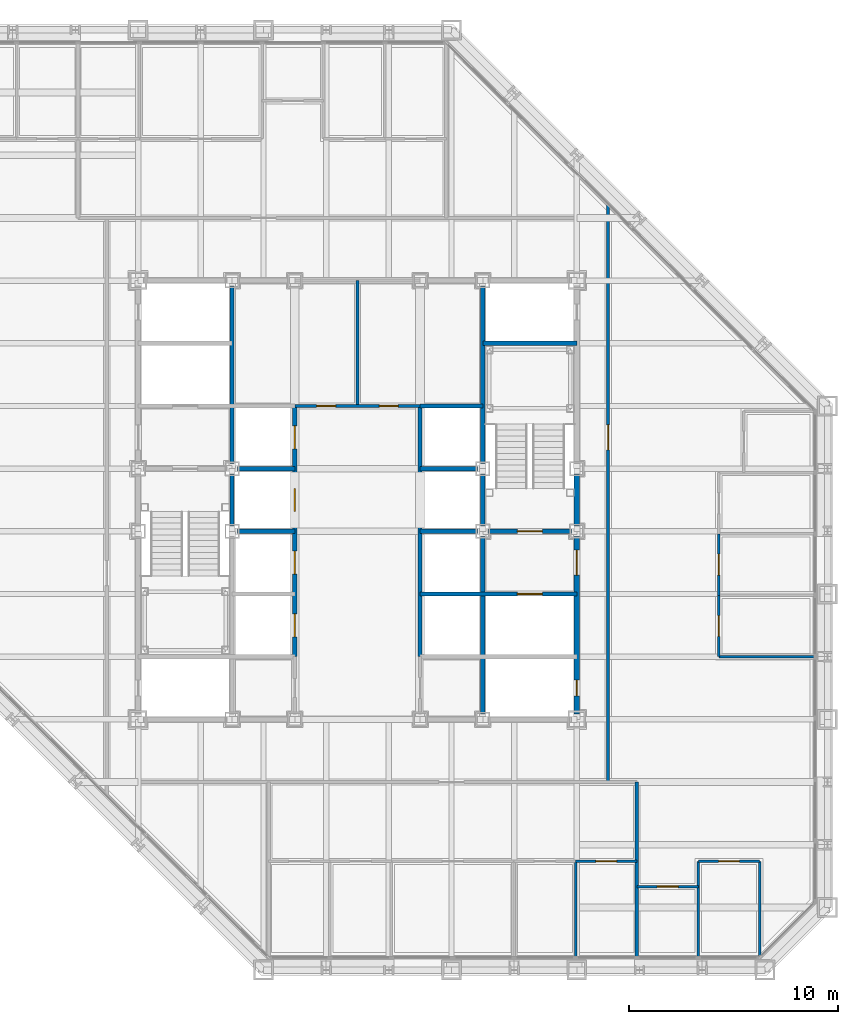
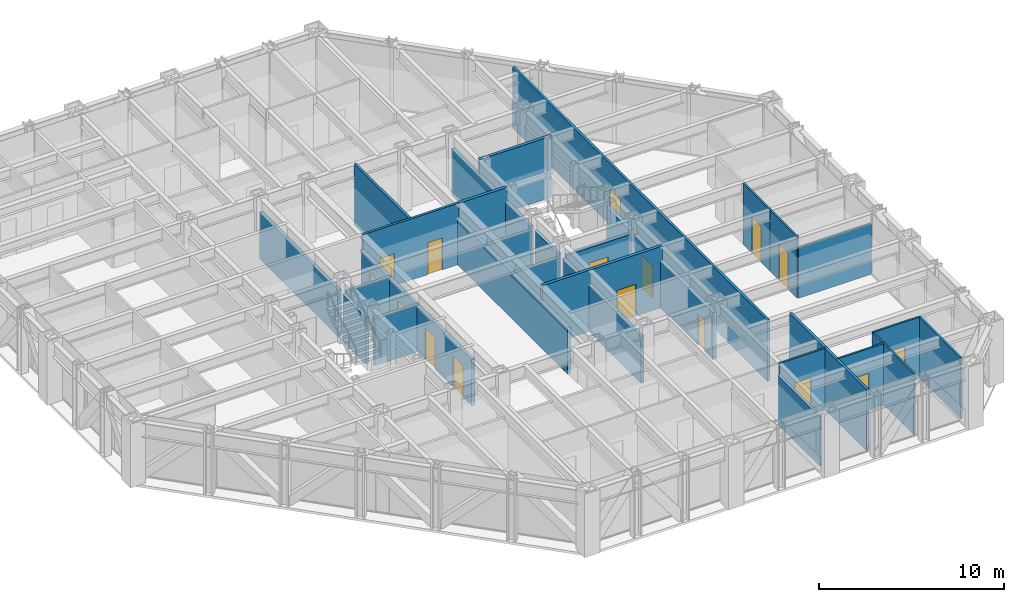
# One storey, part 11 of 16: 30 walls, 16 doors, 16 openings.
"""IFC4 building model written with IfcOpenShell, lengths in metres."""

from ifc_helpers import new_model, si_unit, direction, frame, frame_2d, origin, place, context, subcontext, project, spatial, rectangle, extrude, material, layer, layer_set, type_object, element, fill, save


model = new_model("IFC4")

# Units and contexts
model_context = context("Model", 3, precision=1e-05, world=origin(), true_north=direction((0.0, 1.0)))
body_context = subcontext(model_context, "Body", "Model", "MODEL_VIEW")
ifc_project = project(units=[si_unit("LENGTHUNIT", "METRE"), si_unit("AREAUNIT", "SQUARE_METRE"), si_unit("VOLUMEUNIT", "CUBIC_METRE"), si_unit("PLANEANGLEUNIT", "RADIAN"), si_unit("MASSUNIT", "GRAM", prefix="KILO")], contexts=[model_context])

# Site, building, storey
site_placement = place(None, origin())
site = spatial("IfcSite", under=ifc_project, at=site_placement, CompositionType="ELEMENT")
building_placement = place(site_placement, origin())
building = spatial("IfcBuilding", under=site, at=building_placement, Name="Chuquiago Exchange Tower", CompositionType="ELEMENT")
storey_placement = place(building_placement, frame((0.0, 0.0, 111.0)))
storey = spatial("IfcBuildingStorey", under=building, at=storey_placement, Name="L23", CompositionType="ELEMENT", Elevation=111.0)

# Wall, openings, doors
ifc_material_1 = material(Name="Concrete masonry, fully grouted", Category="masonry")
ifc_layer_1 = layer(ifc_material_1, 0.25)
ifc_layer_set_1 = layer_set([ifc_layer_1], Name="W1 core wall 250")
wall_type_1 = type_object("IfcWallType", Name="W1 core wall 250", PredefinedType="SOLIDWALL", material=ifc_layer_set_1)
wall_1_placement = place(storey_placement, frame((33.0, 12.25, 0.0), z_axis=(0.0, 0.0, 1.0), x_axis=(0.0, 1.0, 0.0)))
wall_1 = element("IfcWall", 1, at=wall_1_placement, inside=storey, type_object=wall_type_1, Name="CW-L23-25-0", PredefinedType="SOLIDWALL", context=body_context, shape_type="SweptSolid", body=[
    extrude(rectangle(XDim=8.5, YDim=0.25, at=frame_2d((4.25, 0.0))), origin(), (0.0, 0.0, 1.0), 3.11279296875),
])
opening_1_placement = place(wall_1_placement, frame((6.64990234375, 0.0, 0.0)))
opening_1 = element("IfcOpeningElement", 2, at=opening_1_placement, cuts=wall_1, Name="Opening L23-004", PredefinedType="OPENING", context=body_context, shape_type="SweptSolid", body=[
    extrude(rectangle(XDim=1.199951171875, YDim=2.10009765625, at=frame_2d((0.60009765625, 1.050048828125))), frame((0.0, 0.135009765625, 0.0), z_axis=(0.0, -1.0, 0.0), x_axis=(1.0, 0.0, 0.0)), (0.0, 0.0, 1.0), 0.27001953125),
])
opening_2_placement = place(wall_1_placement, frame((0.875, 0.0, 0.0)))
opening_2 = element("IfcOpeningElement", 3, at=opening_2_placement, cuts=wall_1, Name="Opening L23-009", PredefinedType="OPENING", context=body_context, shape_type="SweptSolid", body=[
    extrude(rectangle(XDim=0.75, YDim=2.10009765625, at=frame_2d((0.375, 1.050048828125))), frame((0.0, 0.135009765625, 0.0), z_axis=(0.0, -1.0, 0.0), x_axis=(1.0, 0.0, 0.0)), (0.0, 0.0, 1.0), 0.27001953125),
])
ifc_material_2 = material(Name="Steel door, painted", Category="steel")
door_type_1 = type_object("IfcDoorType", Name="D5 firefighting lobby door 1200x2100", OperationType="SINGLE_SWING_LEFT", PredefinedType="DOOR", material=ifc_material_2)
door_1_placement = place(opening_1_placement, origin())
door_1 = element("IfcDoor", 4, at=door_1_placement, inside=storey, type_object=door_type_1, Name="Firefighting lobby 2 door", OperationType="SINGLE_SWING_RIGHT", OverallHeight=2.10009765625, OverallWidth=1.199951171875, PredefinedType="DOOR", context=body_context, shape_type="SweptSolid", body=[
    extrude(rectangle(XDim=1.199951171875, YDim=2.10009765625, at=frame_2d((0.60009765625, 1.050048828125))), frame((0.0, 0.02490234375, 0.0), z_axis=(0.0, -1.0, 0.0), x_axis=(1.0, 0.0, 0.0)), (0.0, 0.0, 1.0), 0.050048828125),
])
fill(opening_1, door_1)
ifc_material_3 = material(Name="Steel door, painted", Category="steel")
door_type_2 = type_object("IfcDoorType", Name="D6 riser access door 750x2100", OperationType="SINGLE_SWING_LEFT", PredefinedType="DOOR", material=ifc_material_3)
door_2_placement = place(opening_2_placement, origin())
door_2 = element("IfcDoor", 5, at=door_2_placement, inside=storey, type_object=door_type_2, Name="Riser RE1 door", OperationType="SINGLE_SWING_LEFT", OverallHeight=2.10009765625, OverallWidth=0.75, PredefinedType="DOOR", context=body_context, shape_type="SweptSolid", body=[
    extrude(rectangle(XDim=0.75, YDim=2.10009765625, at=frame_2d((0.375, 1.050048828125))), frame((0.0, 0.02490234375, 0.0), z_axis=(0.0, -1.0, 0.0), x_axis=(1.0, 0.0, 0.0)), (0.0, 0.0, 1.0), 0.050048828125),
])
fill(opening_2, door_2)

# Wall
wall_2_placement = place(storey_placement, frame((33.0, 21.25, 0.0), z_axis=(0.0, 0.0, 1.0), x_axis=(0.0, 1.0, 0.0)))
element("IfcWall", 6, at=wall_2_placement, inside=storey, type_object=wall_type_1, Name="CW-L23-25-1", PredefinedType="SOLIDWALL", context=body_context, shape_type="SweptSolid", body=[
    extrude(rectangle(XDim=2.5, YDim=0.25, at=frame_2d((1.25, 0.0))), origin(), (0.0, 0.0, 1.0), 3.11279296875),
])

# Wall, opening, door
ifc_material_4 = material(Name="Gypsum board on steel studs, acoustic insulation", Category="steel")
ifc_layer_2 = layer(ifc_material_4, 0.14990234375)
ifc_layer_set_2 = layer_set([ifc_layer_2], Name="W11 corridor wall 150")
wall_type_2 = type_object("IfcWallType", Name="W11 corridor wall 150", PredefinedType="PARTITIONING", material=ifc_layer_set_2)
wall_3_placement = place(storey_placement, frame((34.5, 9.0, 0.0), z_axis=(0.0, 0.0, 1.0), x_axis=(0.0, 1.0, 0.0)))
wall_3 = element("IfcWall", 7, at=wall_3_placement, inside=storey, type_object=wall_type_2, Name="PW-L23-CE", PredefinedType="PARTITIONING", context=body_context, shape_type="SweptSolid", body=[
    extrude(rectangle(XDim=27.614501953125, YDim=0.14990234375, at=frame_2d((13.80712890625, 0.0))), origin(), (0.0, 0.0, 1.0), 4.0400390625),
])
opening_3_placement = place(wall_3_placement, frame((15.89990234375, 0.0, 0.0)))
opening_3 = element("IfcOpeningElement", 8, at=opening_3_placement, cuts=wall_3, Name="Opening L23-045", PredefinedType="OPENING", context=body_context, shape_type="SweptSolid", body=[
    extrude(rectangle(XDim=1.199951171875, YDim=2.39990234375, at=frame_2d((0.60009765625, 1.199951171875))), frame((0.0, 0.0849609375, 0.0), z_axis=(0.0, -1.0, 0.0), x_axis=(1.0, 0.0, 0.0)), (0.0, 0.0, 1.0), 0.169921875),
])
ifc_material_5 = material(Name="Timber door, laminate faced", Category="wood")
door_type_3 = type_object("IfcDoorType", Name="D13 suite entrance door 1200x2400", OperationType="SINGLE_SWING_LEFT", PredefinedType="DOOR", material=ifc_material_5)
door_3_placement = place(opening_3_placement, frame((1.199951171875, 0.0, 0.0), z_axis=(0.0, 0.0, 1.0), x_axis=(-1.0, 0.0, 0.0)))
door_3 = element("IfcDoor", 9, at=door_3_placement, inside=storey, type_object=door_type_3, Name="East suite entrance door", OperationType="SINGLE_SWING_LEFT", OverallHeight=2.39990234375, OverallWidth=1.199951171875, PredefinedType="DOOR", context=body_context, shape_type="SweptSolid", body=[
    extrude(rectangle(XDim=1.199951171875, YDim=2.39990234375, at=frame_2d((0.60009765625, 1.199951171875))), frame((0.0, 0.02490234375, 0.0), z_axis=(0.0, -1.0, 0.0), x_axis=(1.0, 0.0, 0.0)), (0.0, 0.0, 1.0), 0.050048828125),
])
fill(opening_3, door_3)

# Walls
ifc_material_6 = material(Name="Gypsum board on twin steel studs, acoustic insulation", Category="steel")
ifc_layer_3 = layer(ifc_material_6, 0.175048828125)
ifc_layer_set_3 = layer_set([ifc_layer_3], Name="W12 tenant demising wall 175")
wall_type_3 = type_object("IfcWallType", Name="W12 tenant demising wall 175", PredefinedType="PARTITIONING", material=ifc_layer_set_3)
wall_4_placement = place(storey_placement, frame((35.875732421875, 0.652587890625, 0.0), z_axis=(0.0, 0.0, 1.0), x_axis=(0.0, 1.0, 0.0)))
element("IfcWall", 10, at=wall_4_placement, inside=storey, type_object=wall_type_3, Name="PW-L23-DS03588", PredefinedType="PARTITIONING", context=body_context, shape_type="SweptSolid", body=[
    extrude(rectangle(XDim=8.347412109375, YDim=0.175048828125, at=frame_2d((4.173828125, 0.0))), origin(), (0.0, 0.0, 1.0), 4.0400390625),
])
ifc_material_7 = material(Name="Concrete masonry, fully grouted", Category="masonry")
ifc_layer_4 = layer(ifc_material_7, 0.199951171875)
ifc_layer_set_4 = layer_set([ifc_layer_4], Name="W2 shaft wall 200")
wall_type_4 = type_object("IfcWallType", Name="W2 shaft wall 200", PredefinedType="SOLIDWALL", material=ifc_layer_set_4)
for number, where, z_axis, x_axis, name in (
    (11, (16.75, 24.0, 0.0), (0.0, 0.0, 1.0), (1.0, 0.0, 0.0), "CW-L23-05-1"),
    (12, (25.5, 24.0, 0.0), (0.0, 0.0, 1.0), (1.0, 0.0, 0.0), "CW-L23-06-0"),
):
    element("IfcWall", number, at=place(storey_placement, frame(where, z_axis=z_axis, x_axis=x_axis)), inside=storey, type_object=wall_type_4, Name=name, PredefinedType="SOLIDWALL", context=body_context, shape_type="SweptSolid", body=[
        extrude(rectangle(XDim=2.75, YDim=0.199951171875, at=frame_2d((1.375, 0.0))), origin(), (0.0, 0.0, 1.0), 3.090087890625),
    ])
wall_5_placement = place(storey_placement, frame((25.5, 27.0, 0.0), z_axis=(0.0, 0.0, 1.0), x_axis=(1.0, 0.0, 0.0)))
element("IfcWall", 13, at=wall_5_placement, inside=storey, type_object=wall_type_4, Name="CW-L23-08-0", PredefinedType="SOLIDWALL", context=body_context, shape_type="SweptSolid", body=[
    extrude(rectangle(XDim=3.0, YDim=0.199951171875, at=frame_2d((1.5, 0.0))), origin(), (0.0, 0.0, 1.0), 4.0400390625),
])
wall_6_placement = place(storey_placement, frame((28.5, 30.0, 0.0), z_axis=(0.0, 0.0, 1.0), x_axis=(1.0, 0.0, 0.0)))
element("IfcWall", 14, at=wall_6_placement, inside=storey, type_object=wall_type_4, Name="CW-L23-10-0", PredefinedType="SOLIDWALL", context=body_context, shape_type="SweptSolid", body=[
    extrude(rectangle(XDim=4.5, YDim=0.199951171875, at=frame_2d((2.25, 0.0))), origin(), (0.0, 0.0, 1.0), 4.0400390625),
])
wall_7_placement = place(storey_placement, frame((16.5, 21.25, 0.0), z_axis=(0.0, 0.0, 1.0), x_axis=(0.0, 1.0, 0.0)))
element("IfcWall", 15, at=wall_7_placement, inside=storey, type_object=wall_type_4, Name="CW-L23-13-1", PredefinedType="SOLIDWALL", context=body_context, shape_type="SweptSolid", body=[
    extrude(rectangle(XDim=2.5, YDim=0.199951171875, at=frame_2d((1.25, 0.0))), origin(), (0.0, 0.0, 1.0), 3.11279296875),
])
wall_8_placement = place(storey_placement, frame((16.5, 24.25, 0.0), z_axis=(0.0, 0.0, 1.0), x_axis=(0.0, 1.0, 0.0)))
element("IfcWall", 16, at=wall_8_placement, inside=storey, type_object=wall_type_4, Name="CW-L23-13-2", PredefinedType="SOLIDWALL", context=body_context, shape_type="SweptSolid", body=[
    extrude(rectangle(XDim=8.5, YDim=0.199951171875, at=frame_2d((4.25, 0.0))), origin(), (0.0, 0.0, 1.0), 3.11279296875),
])

# Wall, opening, door
wall_9_placement = place(storey_placement, frame((25.5, 18.0, 0.0), z_axis=(0.0, 0.0, 1.0), x_axis=(1.0, 0.0, 0.0)))
wall_9 = element("IfcWall", 17, at=wall_9_placement, inside=storey, type_object=wall_type_4, Name="CW-L23-15-0", PredefinedType="SOLIDWALL", context=body_context, shape_type="SweptSolid", body=[
    extrude(rectangle(XDim=7.5, YDim=0.199951171875, at=frame_2d((3.75, 0.0))), origin(), (0.0, 0.0, 1.0), 4.0400390625),
])
opening_4_placement = place(wall_9_placement, frame((4.64990234375, 0.0, 0.0)))
opening_4 = element("IfcOpeningElement", 18, at=opening_4_placement, cuts=wall_9, Name="Opening L23-006", PredefinedType="OPENING", context=body_context, shape_type="SweptSolid", body=[
    extrude(rectangle(XDim=1.199951171875, YDim=2.10009765625, at=frame_2d((0.60009765625, 1.050048828125))), frame((0.0, 0.10986328125, 0.0), z_axis=(0.0, -1.0, 0.0), x_axis=(1.0, 0.0, 0.0)), (0.0, 0.0, 1.0), 0.219970703125),
])
ifc_material_8 = material(Name="Stainless steel lift landing door", Category="steel")
door_type_4 = type_object("IfcDoorType", Name="LD2 firefighting lift landing door 1200x2100", OperationType="DOUBLE_DOOR_SLIDING", PredefinedType="DOOR", material=ifc_material_8)
door_4_placement = place(opening_4_placement, origin())
door_4 = element("IfcDoor", 19, at=door_4_placement, inside=storey, type_object=door_type_4, Name="Firefighting lift FL2 landing door", OperationType="DOUBLE_DOOR_SLIDING", OverallHeight=2.10009765625, OverallWidth=1.199951171875, PredefinedType="DOOR", context=body_context, shape_type="SweptSolid", body=[
    extrude(rectangle(XDim=1.199951171875, YDim=2.10009765625, at=frame_2d((0.60009765625, 1.050048828125))), frame((0.0, 0.02490234375, 0.0), z_axis=(0.0, -1.0, 0.0), x_axis=(1.0, 0.0, 0.0)), (0.0, 0.0, 1.0), 0.050048828125),
])
fill(opening_4, door_4)

# Walls
for number, where, z_axis, x_axis, name in (
    (20, (16.75, 21.0, 0.0), (0.0, 0.0, 1.0), (1.0, 0.0, 0.0), "CW-L23-16-0"),
    (21, (25.5, 21.0, 0.0), (0.0, 0.0, 1.0), (1.0, 0.0, 0.0), "CW-L23-17-0"),
):
    element("IfcWall", number, at=place(storey_placement, frame(where, z_axis=z_axis, x_axis=x_axis)), inside=storey, type_object=wall_type_4, Name=name, PredefinedType="SOLIDWALL", context=body_context, shape_type="SweptSolid", body=[
        extrude(rectangle(XDim=2.75, YDim=0.199951171875, at=frame_2d((1.375, 0.0))), origin(), (0.0, 0.0, 1.0), 3.090087890625),
    ])

# Wall, opening, door
wall_10_placement = place(storey_placement, frame((28.75, 21.0, 0.0), z_axis=(0.0, 0.0, 1.0), x_axis=(1.0, 0.0, 0.0)))
wall_10 = element("IfcWall", 22, at=wall_10_placement, inside=storey, type_object=wall_type_4, Name="CW-L23-17-1", PredefinedType="SOLIDWALL", context=body_context, shape_type="SweptSolid", body=[
    extrude(rectangle(XDim=4.0, YDim=0.199951171875, at=frame_2d((2.0, 0.0))), origin(), (0.0, 0.0, 1.0), 3.090087890625),
])
opening_5_placement = place(wall_10_placement, frame((1.39990234375, 0.0, 0.0)))
opening_5 = element("IfcOpeningElement", 23, at=opening_5_placement, cuts=wall_10, Name="Opening L23-003", PredefinedType="OPENING", context=body_context, shape_type="SweptSolid", body=[
    extrude(rectangle(XDim=1.199951171875, YDim=2.10009765625, at=frame_2d((0.60009765625, 1.050048828125))), frame((0.0, 0.10986328125, 0.0), z_axis=(0.0, -1.0, 0.0), x_axis=(1.0, 0.0, 0.0)), (0.0, 0.0, 1.0), 0.219970703125),
])
ifc_material_9 = material(Name="Steel door, painted", Category="steel")
door_type_5 = type_object("IfcDoorType", Name="D4 stair door 1200x2100", OperationType="SINGLE_SWING_LEFT", PredefinedType="DOOR", material=ifc_material_9)
door_5_placement = place(opening_5_placement, origin())
door_5 = element("IfcDoor", 24, at=door_5_placement, inside=storey, type_object=door_type_5, Name="Stair ST2 door", OperationType="SINGLE_SWING_LEFT", OverallHeight=2.10009765625, OverallWidth=1.199951171875, PredefinedType="DOOR", context=body_context, shape_type="SweptSolid", body=[
    extrude(rectangle(XDim=1.199951171875, YDim=2.10009765625, at=frame_2d((0.60009765625, 1.050048828125))), frame((0.0, 0.02490234375, 0.0), z_axis=(0.0, -1.0, 0.0), x_axis=(1.0, 0.0, 0.0)), (0.0, 0.0, 1.0), 0.050048828125),
])
fill(opening_5, door_5)

# Wall, openings, doors
wall_11_placement = place(storey_placement, frame((19.5, 15.0, 0.0), z_axis=(0.0, 0.0, 1.0), x_axis=(0.0, 1.0, 0.0)))
wall_11 = element("IfcWall", 25, at=wall_11_placement, inside=storey, type_object=wall_type_4, Name="CW-L23-19-0", PredefinedType="SOLIDWALL", context=body_context, shape_type="SweptSolid", body=[
    extrude(rectangle(XDim=12.0, YDim=0.199951171875, at=frame_2d((6.0, 0.0))), origin(), (0.0, 0.0, 1.0), 3.064697265625),
])
opening_6_placement = place(wall_11_placement, frame((0.949951171875, 0.0, 0.0)))
opening_6 = element("IfcOpeningElement", 26, at=opening_6_placement, cuts=wall_11, Name="Opening L23-015", PredefinedType="OPENING", context=body_context, shape_type="SweptSolid", body=[
    extrude(rectangle(XDim=1.10009765625, YDim=2.10009765625, at=frame_2d((0.550048828125, 1.050048828125))), frame((0.0, 0.10986328125, 0.0), z_axis=(0.0, -1.0, 0.0), x_axis=(1.0, 0.0, 0.0)), (0.0, 0.0, 1.0), 0.219970703125),
])
opening_7_placement = place(wall_11_placement, frame((3.949951171875, 0.0, 0.0)))
opening_7 = element("IfcOpeningElement", 27, at=opening_7_placement, cuts=wall_11, Name="Opening L23-016", PredefinedType="OPENING", context=body_context, shape_type="SweptSolid", body=[
    extrude(rectangle(XDim=1.10009765625, YDim=2.10009765625, at=frame_2d((0.550048828125, 1.050048828125))), frame((0.0, 0.10986328125, 0.0), z_axis=(0.0, -1.0, 0.0), x_axis=(1.0, 0.0, 0.0)), (0.0, 0.0, 1.0), 0.219970703125),
])
opening_8_placement = place(wall_11_placement, frame((6.949951171875, 0.0, 0.0)))
opening_8 = element("IfcOpeningElement", 28, at=opening_8_placement, cuts=wall_11, Name="Opening L23-017", PredefinedType="OPENING", context=body_context, shape_type="SweptSolid", body=[
    extrude(rectangle(XDim=1.10009765625, YDim=2.10009765625, at=frame_2d((0.550048828125, 1.050048828125))), frame((0.0, 0.10986328125, 0.0), z_axis=(0.0, -1.0, 0.0), x_axis=(1.0, 0.0, 0.0)), (0.0, 0.0, 1.0), 0.219970703125),
])
opening_9_placement = place(wall_11_placement, frame((9.949951171875, 0.0, 0.0)))
opening_9 = element("IfcOpeningElement", 29, at=opening_9_placement, cuts=wall_11, Name="Opening L23-018", PredefinedType="OPENING", context=body_context, shape_type="SweptSolid", body=[
    extrude(rectangle(XDim=1.10009765625, YDim=2.10009765625, at=frame_2d((0.550048828125, 1.050048828125))), frame((0.0, 0.10986328125, 0.0), z_axis=(0.0, -1.0, 0.0), x_axis=(1.0, 0.0, 0.0)), (0.0, 0.0, 1.0), 0.219970703125),
])
ifc_material_10 = material(Name="Stainless steel lift landing door", Category="steel")
door_type_6 = type_object("IfcDoorType", Name="LD1 lift landing door 1100x2100", OperationType="DOUBLE_DOOR_SLIDING", PredefinedType="DOOR", material=ifc_material_10)
door_6_placement = place(opening_6_placement, origin())
door_6 = element("IfcDoor", 30, at=door_6_placement, inside=storey, type_object=door_type_6, Name="Lift LB1 landing door", OperationType="DOUBLE_DOOR_SLIDING", OverallHeight=2.10009765625, OverallWidth=1.10009765625, PredefinedType="DOOR", context=body_context, shape_type="SweptSolid", body=[
    extrude(rectangle(XDim=1.10009765625, YDim=2.10009765625, at=frame_2d((0.550048828125, 1.050048828125))), frame((0.0, 0.02490234375, 0.0), z_axis=(0.0, -1.0, 0.0), x_axis=(1.0, 0.0, 0.0)), (0.0, 0.0, 1.0), 0.050048828125),
])
fill(opening_6, door_6)
door_7_placement = place(opening_7_placement, origin())
door_7 = element("IfcDoor", 31, at=door_7_placement, inside=storey, type_object=door_type_6, Name="Lift LB2 landing door", OperationType="DOUBLE_DOOR_SLIDING", OverallHeight=2.10009765625, OverallWidth=1.10009765625, PredefinedType="DOOR", context=body_context, shape_type="SweptSolid", body=[
    extrude(rectangle(XDim=1.10009765625, YDim=2.10009765625, at=frame_2d((0.550048828125, 1.050048828125))), frame((0.0, 0.02490234375, 0.0), z_axis=(0.0, -1.0, 0.0), x_axis=(1.0, 0.0, 0.0)), (0.0, 0.0, 1.0), 0.050048828125),
])
fill(opening_7, door_7)
door_8_placement = place(opening_8_placement, origin())
door_8 = element("IfcDoor", 32, at=door_8_placement, inside=storey, type_object=door_type_6, Name="Lift LB3 landing door", OperationType="DOUBLE_DOOR_SLIDING", OverallHeight=2.10009765625, OverallWidth=1.10009765625, PredefinedType="DOOR", context=body_context, shape_type="SweptSolid", body=[
    extrude(rectangle(XDim=1.10009765625, YDim=2.10009765625, at=frame_2d((0.550048828125, 1.050048828125))), frame((0.0, 0.02490234375, 0.0), z_axis=(0.0, -1.0, 0.0), x_axis=(1.0, 0.0, 0.0)), (0.0, 0.0, 1.0), 0.050048828125),
])
fill(opening_8, door_8)
door_9_placement = place(opening_9_placement, origin())
door_9 = element("IfcDoor", 33, at=door_9_placement, inside=storey, type_object=door_type_6, Name="Lift LB4 landing door", OperationType="DOUBLE_DOOR_SLIDING", OverallHeight=2.10009765625, OverallWidth=1.10009765625, PredefinedType="DOOR", context=body_context, shape_type="SweptSolid", body=[
    extrude(rectangle(XDim=1.10009765625, YDim=2.10009765625, at=frame_2d((0.550048828125, 1.050048828125))), frame((0.0, 0.02490234375, 0.0), z_axis=(0.0, -1.0, 0.0), x_axis=(1.0, 0.0, 0.0)), (0.0, 0.0, 1.0), 0.050048828125),
])
fill(opening_9, door_9)

# Walls
wall_12_placement = place(storey_placement, frame((25.5, 15.0, 0.0), z_axis=(0.0, 0.0, 1.0), x_axis=(0.0, 1.0, 0.0)))
element("IfcWall", 34, at=wall_12_placement, inside=storey, type_object=wall_type_4, Name="CW-L23-22-0", PredefinedType="SOLIDWALL", context=body_context, shape_type="SweptSolid", body=[
    extrude(rectangle(XDim=12.0, YDim=0.199951171875, at=frame_2d((6.0, 0.0))), origin(), (0.0, 0.0, 1.0), 3.064697265625),
])
wall_13_placement = place(storey_placement, frame((28.5, 12.25, 0.0), z_axis=(0.0, 0.0, 1.0), x_axis=(0.0, 1.0, 0.0)))
element("IfcWall", 35, at=wall_13_placement, inside=storey, type_object=wall_type_4, Name="CW-L23-24-0", PredefinedType="SOLIDWALL", context=body_context, shape_type="SweptSolid", body=[
    extrude(rectangle(XDim=8.5, YDim=0.199951171875, at=frame_2d((4.25, 0.0))), origin(), (0.0, 0.0, 1.0), 3.11279296875),
])
wall_14_placement = place(storey_placement, frame((28.5, 21.25, 0.0), z_axis=(0.0, 0.0, 1.0), x_axis=(0.0, 1.0, 0.0)))
element("IfcWall", 36, at=wall_14_placement, inside=storey, type_object=wall_type_4, Name="CW-L23-24-1", PredefinedType="SOLIDWALL", context=body_context, shape_type="SweptSolid", body=[
    extrude(rectangle(XDim=2.5, YDim=0.199951171875, at=frame_2d((1.25, 0.0))), origin(), (0.0, 0.0, 1.0), 3.11279296875),
])
wall_15_placement = place(storey_placement, frame((28.5, 24.25, 0.0), z_axis=(0.0, 0.0, 1.0), x_axis=(0.0, 1.0, 0.0)))
element("IfcWall", 37, at=wall_15_placement, inside=storey, type_object=wall_type_4, Name="CW-L23-24-2", PredefinedType="SOLIDWALL", context=body_context, shape_type="SweptSolid", body=[
    extrude(rectangle(XDim=8.5, YDim=0.199951171875, at=frame_2d((4.25, 0.0))), origin(), (0.0, 0.0, 1.0), 3.11279296875),
])

# Wall, openings, doors
ifc_material_11 = material(Name="Gypsum board on steel studs", Category="steel")
ifc_layer_5 = layer(ifc_material_11, 0.14990234375)
ifc_layer_set_5 = layer_set([ifc_layer_5], Name="W3 core partition 150")
wall_type_5 = type_object("IfcWallType", Name="W3 core partition 150", PredefinedType="PARTITIONING", material=ifc_layer_set_5)
wall_16_placement = place(storey_placement, frame((19.5, 27.0, 0.0), z_axis=(0.0, 0.0, 1.0), x_axis=(1.0, 0.0, 0.0)))
wall_16 = element("IfcWall", 38, at=wall_16_placement, inside=storey, type_object=wall_type_5, Name="CW-L23-TF", PredefinedType="PARTITIONING", context=body_context, shape_type="SweptSolid", body=[
    extrude(rectangle(XDim=6.0, YDim=0.14990234375, at=frame_2d((3.0, 0.0))), origin(), (0.0, 0.0, 1.0), 4.0400390625),
])
opening_10_placement = place(wall_16_placement, frame((1.050048828125, 0.0, 0.0)))
opening_10 = element("IfcOpeningElement", 39, at=opening_10_placement, cuts=wall_16, Name="Opening L23-011", PredefinedType="OPENING", context=body_context, shape_type="SweptSolid", body=[
    extrude(rectangle(XDim=0.89990234375, YDim=2.10009765625, at=frame_2d((0.449951171875, 1.050048828125))), frame((0.0, 0.0849609375, 0.0), z_axis=(0.0, -1.0, 0.0), x_axis=(1.0, 0.0, 0.0)), (0.0, 0.0, 1.0), 0.169921875),
])
opening_11_placement = place(wall_16_placement, frame((4.050048828125, 0.0, 0.0)))
opening_11 = element("IfcOpeningElement", 40, at=opening_11_placement, cuts=wall_16, Name="Opening L23-012", PredefinedType="OPENING", context=body_context, shape_type="SweptSolid", body=[
    extrude(rectangle(XDim=0.89990234375, YDim=2.10009765625, at=frame_2d((0.449951171875, 1.050048828125))), frame((0.0, 0.0849609375, 0.0), z_axis=(0.0, -1.0, 0.0), x_axis=(1.0, 0.0, 0.0)), (0.0, 0.0, 1.0), 0.169921875),
])
ifc_material_12 = material(Name="Timber door, laminate faced", Category="wood")
door_type_7 = type_object("IfcDoorType", Name="D7 toilet door 900x2100", OperationType="SINGLE_SWING_LEFT", PredefinedType="DOOR", material=ifc_material_12)
door_10_placement = place(opening_10_placement, origin())
door_10 = element("IfcDoor", 41, at=door_10_placement, inside=storey, type_object=door_type_7, Name="Male WC door", OperationType="SINGLE_SWING_RIGHT", OverallHeight=2.10009765625, OverallWidth=0.89990234375, PredefinedType="DOOR", context=body_context, shape_type="SweptSolid", body=[
    extrude(rectangle(XDim=0.89990234375, YDim=2.10009765625, at=frame_2d((0.449951171875, 1.050048828125))), frame((0.0, 0.02490234375, 0.0), z_axis=(0.0, -1.0, 0.0), x_axis=(1.0, 0.0, 0.0)), (0.0, 0.0, 1.0), 0.050048828125),
])
fill(opening_10, door_10)
door_11_placement = place(opening_11_placement, origin())
door_11 = element("IfcDoor", 42, at=door_11_placement, inside=storey, type_object=door_type_7, Name="Female WC door", OperationType="SINGLE_SWING_LEFT", OverallHeight=2.10009765625, OverallWidth=0.89990234375, PredefinedType="DOOR", context=body_context, shape_type="SweptSolid", body=[
    extrude(rectangle(XDim=0.89990234375, YDim=2.10009765625, at=frame_2d((0.449951171875, 1.050048828125))), frame((0.0, 0.02490234375, 0.0), z_axis=(0.0, -1.0, 0.0), x_axis=(1.0, 0.0, 0.0)), (0.0, 0.0, 1.0), 0.050048828125),
])
fill(opening_11, door_11)

# Walls
wall_17_placement = place(storey_placement, frame((22.5, 27.0, 0.0), z_axis=(0.0, 0.0, 1.0), x_axis=(0.0, 1.0, 0.0)))
element("IfcWall", 43, at=wall_17_placement, inside=storey, type_object=wall_type_5, Name="CW-L23-TM", PredefinedType="PARTITIONING", context=body_context, shape_type="SweptSolid", body=[
    extrude(rectangle(XDim=6.0, YDim=0.14990234375, at=frame_2d((3.0, 0.0))), origin(), (0.0, 0.0, 1.0), 4.0400390625),
])
ifc_material_13 = material(Name="Gypsum board on steel studs", Category="steel")
ifc_layer_6 = layer(ifc_material_13, 0.1201171875)
ifc_layer_set_6 = layer_set([ifc_layer_6], Name="W4 partition 120")
wall_type_6 = type_object("IfcWallType", Name="W4 partition 120", PredefinedType="PARTITIONING", material=ifc_layer_set_6)
wall_18_placement = place(storey_placement, frame((32.93798828125, 0.652587890625, 0.0), z_axis=(0.0, 0.0, 1.0), x_axis=(0.0, 1.0, 0.0)))
element("IfcWall", 44, at=wall_18_placement, inside=storey, type_object=wall_type_6, Name="PW-L23-S03294", PredefinedType="PARTITIONING", context=body_context, shape_type="SweptSolid", body=[
    extrude(rectangle(XDim=4.54736328125, YDim=0.1201171875, at=frame_2d((2.273681640625, 0.0))), origin(), (0.0, 0.0, 1.0), 3.2705078125),
])
wall_19_placement = place(storey_placement, frame((38.813720703125, 0.652587890625, 0.0), z_axis=(0.0, 0.0, 1.0), x_axis=(0.0, 1.0, 0.0)))
element("IfcWall", 45, at=wall_19_placement, inside=storey, type_object=wall_type_6, Name="PW-L23-S03881", PredefinedType="PARTITIONING", context=body_context, shape_type="SweptSolid", body=[
    extrude(rectangle(XDim=4.54736328125, YDim=0.1201171875, at=frame_2d((2.273681640625, 0.0))), origin(), (0.0, 0.0, 1.0), 4.0400390625),
])
wall_20_placement = place(storey_placement, frame((41.75146484375, 0.666015625, 0.0), z_axis=(0.0, 0.0, 1.0), x_axis=(0.0, 1.0, 0.0)))
element("IfcWall", 46, at=wall_20_placement, inside=storey, type_object=wall_type_6, Name="PW-L23-S04175", PredefinedType="PARTITIONING", context=body_context, shape_type="SweptSolid", body=[
    extrude(rectangle(XDim=4.533935546875, YDim=0.1201171875, at=frame_2d((2.26708984375, 0.0))), origin(), (0.0, 0.0, 1.0), 4.0400390625),
])

# Wall, opening, door
wall_21_placement = place(storey_placement, frame((32.93798828125, 5.199951171875, 0.0), z_axis=(0.0, 0.0, 1.0), x_axis=(1.0, 0.0, 0.0)))
wall_21 = element("IfcWall", 47, at=wall_21_placement, inside=storey, type_object=wall_type_6, Name="PW-L23-SF03294", PredefinedType="PARTITIONING", context=body_context, shape_type="SweptSolid", body=[
    extrude(rectangle(XDim=2.937744140625, YDim=0.1201171875, at=frame_2d((1.46875, 0.0))), origin(), (0.0, 0.0, 1.0), 4.0400390625),
])
opening_12_placement = place(wall_21_placement, frame((0.968994140625, 0.0, 0.0)))
opening_12 = element("IfcOpeningElement", 48, at=opening_12_placement, cuts=wall_21, Name="Opening L23-023", PredefinedType="OPENING", context=body_context, shape_type="SweptSolid", body=[
    extrude(rectangle(XDim=1.0, YDim=2.39990234375, at=frame_2d((0.5, 1.199951171875))), frame((0.0, 0.070068359375, 0.0), z_axis=(0.0, -1.0, 0.0), x_axis=(1.0, 0.0, 0.0)), (0.0, 0.0, 1.0), 0.14013671875),
])
ifc_material_14 = material(Name="Timber door, laminate faced", Category="wood")
door_type_8 = type_object("IfcDoorType", Name="D9 room door 1000x2400", OperationType="SINGLE_SWING_LEFT", PredefinedType="DOOR", material=ifc_material_14)
door_12_placement = place(opening_12_placement, frame((1.0, 0.0, 0.0), z_axis=(0.0, 0.0, 1.0), x_axis=(-1.0, 0.0, 0.0)))
door_12 = element("IfcDoor", 49, at=door_12_placement, inside=storey, type_object=door_type_8, Name="Office door", OperationType="SINGLE_SWING_LEFT", OverallHeight=2.39990234375, OverallWidth=1.0, PredefinedType="DOOR", context=body_context, shape_type="SweptSolid", body=[
    extrude(rectangle(XDim=1.0, YDim=2.39990234375, at=frame_2d((0.5, 1.199951171875))), frame((0.0, 0.02490234375, 0.0), z_axis=(0.0, -1.0, 0.0), x_axis=(1.0, 0.0, 0.0)), (0.0, 0.0, 1.0), 0.050048828125),
])
fill(opening_12, door_12)

wall_22_placement = place(storey_placement, frame((35.875732421875, 4.0, 0.0), z_axis=(0.0, 0.0, 1.0), x_axis=(1.0, 0.0, 0.0)))
wall_22 = element("IfcWall", 50, at=wall_22_placement, inside=storey, type_object=wall_type_6, Name="PW-L23-SF03588", PredefinedType="PARTITIONING", context=body_context, shape_type="SweptSolid", body=[
    extrude(rectangle(XDim=2.93798828125, YDim=0.1201171875, at=frame_2d((1.468994140625, 0.0))), origin(), (0.0, 0.0, 1.0), 4.0400390625),
])
opening_13_placement = place(wall_22_placement, frame((0.968994140625, 0.0, 0.0)))
opening_13 = element("IfcOpeningElement", 51, at=opening_13_placement, cuts=wall_22, Name="Opening L23-024", PredefinedType="OPENING", context=body_context, shape_type="SweptSolid", body=[
    extrude(rectangle(XDim=1.0, YDim=2.39990234375, at=frame_2d((0.5, 1.199951171875))), frame((0.0, 0.070068359375, 0.0), z_axis=(0.0, -1.0, 0.0), x_axis=(1.0, 0.0, 0.0)), (0.0, 0.0, 1.0), 0.14013671875),
])
door_13_placement = place(opening_13_placement, frame((1.0, 0.0, 0.0), z_axis=(0.0, 0.0, 1.0), x_axis=(-1.0, 0.0, 0.0)))
door_13 = element("IfcDoor", 52, at=door_13_placement, inside=storey, type_object=door_type_8, Name="Pantry door", OperationType="SINGLE_SWING_RIGHT", OverallHeight=2.39990234375, OverallWidth=1.0, PredefinedType="DOOR", context=body_context, shape_type="SweptSolid", body=[
    extrude(rectangle(XDim=1.0, YDim=2.39990234375, at=frame_2d((0.5, 1.199951171875))), frame((0.0, 0.02490234375, 0.0), z_axis=(0.0, -1.0, 0.0), x_axis=(1.0, 0.0, 0.0)), (0.0, 0.0, 1.0), 0.050048828125),
])
fill(opening_13, door_13)

wall_23_placement = place(storey_placement, frame((38.813720703125, 5.199951171875, 0.0), z_axis=(0.0, 0.0, 1.0), x_axis=(1.0, 0.0, 0.0)))
wall_23 = element("IfcWall", 53, at=wall_23_placement, inside=storey, type_object=wall_type_6, Name="PW-L23-SF03881", PredefinedType="PARTITIONING", context=body_context, shape_type="SweptSolid", body=[
    extrude(rectangle(XDim=2.937744140625, YDim=0.1201171875, at=frame_2d((1.46875, 0.0))), origin(), (0.0, 0.0, 1.0), 4.0400390625),
])
opening_14_placement = place(wall_23_placement, frame((0.968994140625, 0.0, 0.0)))
opening_14 = element("IfcOpeningElement", 54, at=opening_14_placement, cuts=wall_23, Name="Opening L23-025", PredefinedType="OPENING", context=body_context, shape_type="SweptSolid", body=[
    extrude(rectangle(XDim=1.0, YDim=2.39990234375, at=frame_2d((0.5, 1.199951171875))), frame((0.0, 0.070068359375, 0.0), z_axis=(0.0, -1.0, 0.0), x_axis=(1.0, 0.0, 0.0)), (0.0, 0.0, 1.0), 0.14013671875),
])
door_14_placement = place(opening_14_placement, frame((1.0, 0.0, 0.0), z_axis=(0.0, 0.0, 1.0), x_axis=(-1.0, 0.0, 0.0)))
door_14 = element("IfcDoor", 55, at=door_14_placement, inside=storey, type_object=door_type_8, Name="Office door", OperationType="SINGLE_SWING_RIGHT", OverallHeight=2.39990234375, OverallWidth=1.0, PredefinedType="DOOR", context=body_context, shape_type="SweptSolid", body=[
    extrude(rectangle(XDim=1.0, YDim=2.39990234375, at=frame_2d((0.5, 1.199951171875))), frame((0.0, 0.02490234375, 0.0), z_axis=(0.0, -1.0, 0.0), x_axis=(1.0, 0.0, 0.0)), (0.0, 0.0, 1.0), 0.050048828125),
])
fill(opening_14, door_14)

# Wall
wall_24_placement = place(storey_placement, frame((44.347412109375, 15.0, 0.0), z_axis=(0.0, 0.0, 1.0), x_axis=(-1.0, 0.0, 0.0)))
element("IfcWall", 56, at=wall_24_placement, inside=storey, type_object=wall_type_6, Name="PW-L23-E01500", PredefinedType="PARTITIONING", context=body_context, shape_type="SweptSolid", body=[
    extrude(rectangle(XDim=4.54736328125, YDim=0.1201171875, at=frame_2d((2.273681640625, 0.0))), origin(), (0.0, 0.0, 1.0), 3.356689453125),
])

# Wall, opening, door
wall_25_placement = place(storey_placement, frame((39.800048828125, 15.0, 0.0), z_axis=(0.0, 0.0, 1.0), x_axis=(0.0, 1.0, 0.0)))
wall_25 = element("IfcWall", 57, at=wall_25_placement, inside=storey, type_object=wall_type_6, Name="PW-L23-EF01500", PredefinedType="PARTITIONING", context=body_context, shape_type="SweptSolid", body=[
    extrude(rectangle(XDim=2.93798828125, YDim=0.1201171875, at=frame_2d((1.468994140625, 0.0))), origin(), (0.0, 0.0, 1.0), 4.0400390625),
])
opening_15_placement = place(wall_25_placement, frame((0.968994140625, 0.0, 0.0)))
opening_15 = element("IfcOpeningElement", 58, at=opening_15_placement, cuts=wall_25, Name="Opening L23-026", PredefinedType="OPENING", context=body_context, shape_type="SweptSolid", body=[
    extrude(rectangle(XDim=1.0, YDim=2.39990234375, at=frame_2d((0.5, 1.199951171875))), frame((0.0, 0.070068359375, 0.0), z_axis=(0.0, -1.0, 0.0), x_axis=(1.0, 0.0, 0.0)), (0.0, 0.0, 1.0), 0.14013671875),
])
door_15_placement = place(opening_15_placement, frame((1.0, 0.0, 0.0), z_axis=(0.0, 0.0, 1.0), x_axis=(-1.0, 0.0, 0.0)))
door_15 = element("IfcDoor", 59, at=door_15_placement, inside=storey, type_object=door_type_8, Name="Office door", OperationType="SINGLE_SWING_RIGHT", OverallHeight=2.39990234375, OverallWidth=1.0, PredefinedType="DOOR", context=body_context, shape_type="SweptSolid", body=[
    extrude(rectangle(XDim=1.0, YDim=2.39990234375, at=frame_2d((0.5, 1.199951171875))), frame((0.0, 0.02490234375, 0.0), z_axis=(0.0, -1.0, 0.0), x_axis=(1.0, 0.0, 0.0)), (0.0, 0.0, 1.0), 0.050048828125),
])
fill(opening_15, door_15)

wall_26_placement = place(storey_placement, frame((39.800048828125, 17.93798828125, 0.0), z_axis=(0.0, 0.0, 1.0), x_axis=(0.0, 1.0, 0.0)))
wall_26 = element("IfcWall", 60, at=wall_26_placement, inside=storey, type_object=wall_type_6, Name="PW-L23-EF01794", PredefinedType="PARTITIONING", context=body_context, shape_type="SweptSolid", body=[
    extrude(rectangle(XDim=2.937744140625, YDim=0.1201171875, at=frame_2d((1.46875, 0.0))), origin(), (0.0, 0.0, 1.0), 4.0400390625),
])
opening_16_placement = place(wall_26_placement, frame((0.968994140625, 0.0, 0.0)))
opening_16 = element("IfcOpeningElement", 61, at=opening_16_placement, cuts=wall_26, Name="Opening L23-027", PredefinedType="OPENING", context=body_context, shape_type="SweptSolid", body=[
    extrude(rectangle(XDim=1.0, YDim=2.39990234375, at=frame_2d((0.5, 1.199951171875))), frame((0.0, 0.070068359375, 0.0), z_axis=(0.0, -1.0, 0.0), x_axis=(1.0, 0.0, 0.0)), (0.0, 0.0, 1.0), 0.14013671875),
])
door_16_placement = place(opening_16_placement, frame((1.0, 0.0, 0.0), z_axis=(0.0, 0.0, 1.0), x_axis=(-1.0, 0.0, 0.0)))
door_16 = element("IfcDoor", 62, at=door_16_placement, inside=storey, type_object=door_type_8, Name="Office door", OperationType="SINGLE_SWING_LEFT", OverallHeight=2.39990234375, OverallWidth=1.0, PredefinedType="DOOR", context=body_context, shape_type="SweptSolid", body=[
    extrude(rectangle(XDim=1.0, YDim=2.39990234375, at=frame_2d((0.5, 1.199951171875))), frame((0.0, 0.02490234375, 0.0), z_axis=(0.0, -1.0, 0.0), x_axis=(1.0, 0.0, 0.0)), (0.0, 0.0, 1.0), 0.050048828125),
])
fill(opening_16, door_16)

save(model, "model.ifc")
